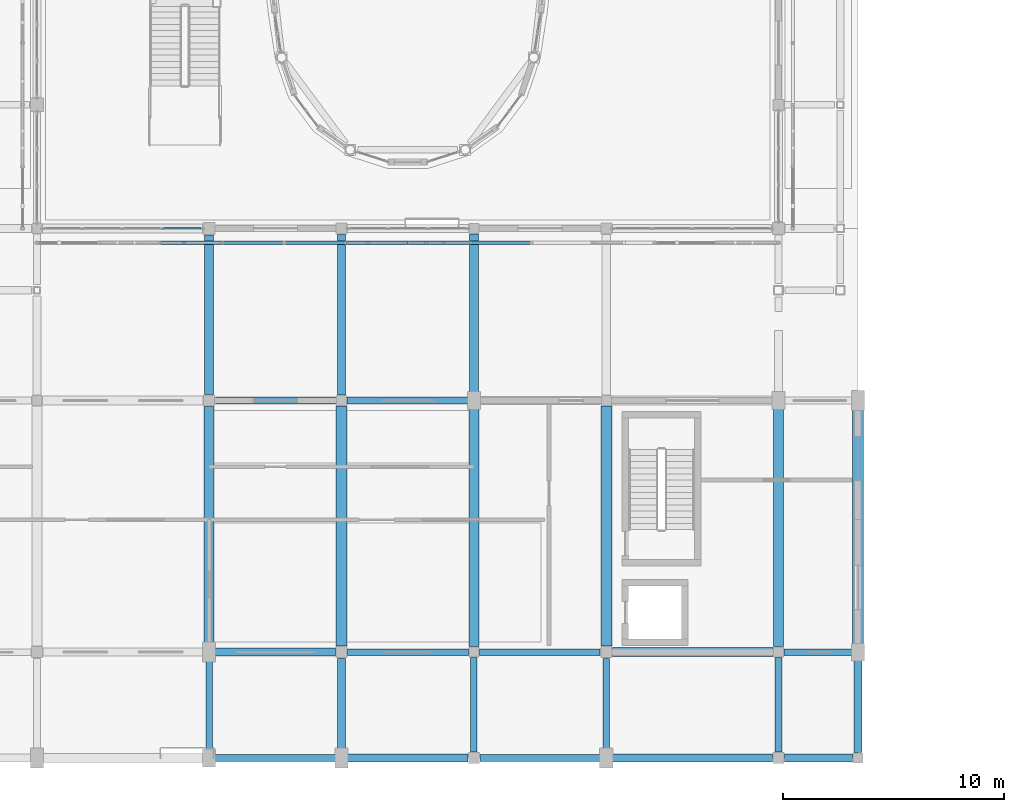
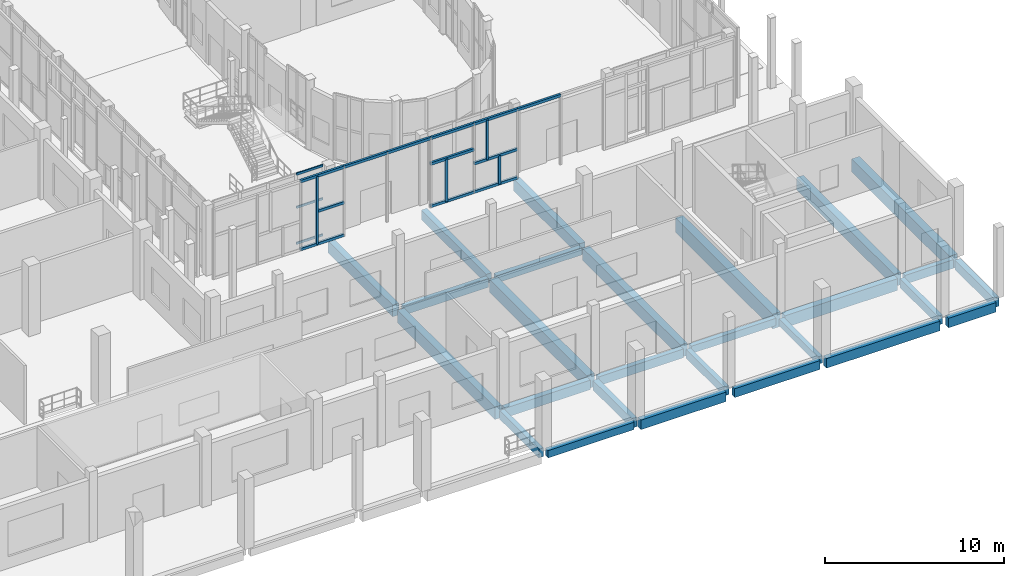
# One storey, part 27 of 91: 27 beams, 19 members, 1 element without a shape of its own.
"""IFC4 building model written with IfcOpenShell, lengths in metres."""

from ifc_helpers import new_model, si_unit, direction, frame, origin, origin_2d, place, context, subcontext, project, spatial, rectangle, hollow_rectangle, extrude, material, layer, layer_set, material_profile, profile_set, type_object, element, aggregate, save


model = new_model("IFC4")

# Units and contexts
model_context = context("Model", 3, precision=1e-05, world=origin(), true_north=direction((0.0, 1.0)))
body_context = subcontext(model_context, "Body", "Model", "MODEL_VIEW")
ifc_project = project(units=[si_unit("LENGTHUNIT", "METRE"), si_unit("AREAUNIT", "SQUARE_METRE"), si_unit("VOLUMEUNIT", "CUBIC_METRE"), si_unit("PLANEANGLEUNIT", "RADIAN"), si_unit("MASSUNIT", "GRAM", prefix="KILO")], contexts=[model_context])

# Site, building, storey
site_placement = place(None, origin())
site = spatial("IfcSite", under=ifc_project, at=site_placement, CompositionType="ELEMENT")
building_placement = place(site_placement, origin())
building = spatial("IfcBuilding", under=site, at=building_placement, Name="Vinh Khe Railworks Police Headquarters", CompositionType="ELEMENT")
storey_placement = place(building_placement, origin())
storey = spatial("IfcBuildingStorey", under=building, at=storey_placement, Name="L00", CompositionType="ELEMENT", Elevation=0.0)

# Members
ifc_material_1 = material(Name="Salvaged ironwood timber", Category="wood")
ifc_material_profile_1 = material_profile(ifc_material_1, rectangle(XDim=0.139892578125, YDim=0.179931640625, at=origin_2d()), Name="TIMBER 140x180")
ifc_profile_set_1 = profile_set([ifc_material_profile_1], Name="Salvaged ironwood timber")
member_type_1 = type_object("IfcMemberType", Name="MEM-QUILT-STILE", PredefinedType="CHORD", material=ifc_profile_set_1)
for number, where, z_axis, x_axis, name in (
    (1, (32.0, 24.550048828125, 4.719970703125), (1.0, 0.0, 0.0), (0.0, 1.0, 0.0), "Salvaged Timber Quilt Transom S-L00-02-TOP"),
    (2, (32.0, 24.550048828125, 0.080078125), (1.0, 0.0, 0.0), (0.0, 1.0, 0.0), "Salvaged Timber Quilt Transom S-L00-02-BOT"),
):
    element("IfcMember", number, at=place(storey_placement, frame(where, z_axis=z_axis, x_axis=x_axis)), inside=storey, type_object=member_type_1, Name=name, PredefinedType="CHORD", context=body_context, shape_type="SweptSolid", body=[
        extrude(rectangle(XDim=0.139892578125, YDim=0.179931640625, at=origin_2d()), origin(), (0.0, 0.0, 1.0), 2.800048828125),
    ])
member_1_placement = place(storey_placement, frame((33.06396484375, 24.550048828125, 0.080078125), z_axis=(0.0, 0.0, 1.0), x_axis=(1.0, 0.0, 0.0)))
element("IfcMember", 3, at=member_1_placement, inside=storey, type_object=member_type_1, Name="Salvaged Timber Quilt Stile S-L00-02-V1", PredefinedType="POST", context=body_context, shape_type="SweptSolid", body=[
    extrude(rectangle(XDim=0.139892578125, YDim=0.179931640625, at=origin_2d()), origin(), (0.0, 0.0, 1.0), 4.639892578125),
])
member_2_placement = place(storey_placement, frame((33.06396484375, 24.550048828125, 2.303955078125), z_axis=(1.0, 0.0, 0.0), x_axis=(0.0, 1.0, 0.0)))
element("IfcMember", 4, at=member_2_placement, inside=storey, type_object=member_type_1, Name="Salvaged Timber Quilt Transom S-L00-02-M1", PredefinedType="CHORD", context=body_context, shape_type="SweptSolid", body=[
    extrude(rectangle(XDim=0.139892578125, YDim=0.179931640625, at=origin_2d()), origin(), (0.0, 0.0, 1.0), 1.736083984375),
])
member_3_placement = place(storey_placement, frame((34.800048828125, 24.550048828125, 4.719970703125), z_axis=(1.0, 0.0, 0.0), x_axis=(0.0, 1.0, 0.0)))
element("IfcMember", 5, at=member_3_placement, inside=storey, type_object=member_type_1, Name="Salvaged Timber Quilt Transom S-L00-03-TOP", PredefinedType="CHORD", context=body_context, shape_type="SweptSolid", body=[
    extrude(rectangle(XDim=0.139892578125, YDim=0.179931640625, at=origin_2d()), origin(), (0.0, 0.0, 1.0), 2.800048828125),
])
member_4_placement = place(storey_placement, frame((37.60009765625, 24.550048828125, 4.719970703125), z_axis=(1.0, 0.0, 0.0), x_axis=(0.0, 1.0, 0.0)))
element("IfcMember", 6, at=member_4_placement, inside=storey, type_object=member_type_1, Name="Salvaged Timber Quilt Transom S-L00-04-TOP", PredefinedType="CHORD", context=body_context, shape_type="SweptSolid", body=[
    extrude(rectangle(XDim=0.139892578125, YDim=0.179931640625, at=origin_2d()), origin(), (0.0, 0.0, 1.0), 2.7998046875),
])
for number, where, z_axis, x_axis, name in (
    (7, (40.39990234375, 24.550048828125, 4.719970703125), (1.0, 0.0, 0.0), (0.0, 1.0, 0.0), "Salvaged Timber Quilt Transom S-L00-05-TOP"),
    (8, (40.39990234375, 24.550048828125, 0.080078125), (1.0, 0.0, 0.0), (0.0, 1.0, 0.0), "Salvaged Timber Quilt Transom S-L00-05-BOT"),
    (9, (40.39990234375, 24.550048828125, 2.97607421875), (1.0, 0.0, 0.0), (0.0, 1.0, 0.0), "Salvaged Timber Quilt Transom S-L00-05-M1"),
):
    element("IfcMember", number, at=place(storey_placement, frame(where, z_axis=z_axis, x_axis=x_axis)), inside=storey, type_object=member_type_1, Name=name, PredefinedType="CHORD", context=body_context, shape_type="SweptSolid", body=[
        extrude(rectangle(XDim=0.139892578125, YDim=0.179931640625, at=origin_2d()), origin(), (0.0, 0.0, 1.0), 2.800048828125),
    ])
member_5_placement = place(storey_placement, frame((41.407958984375, 24.550048828125, 0.080078125), z_axis=(0.0, 0.0, 1.0), x_axis=(1.0, 0.0, 0.0)))
element("IfcMember", 10, at=member_5_placement, inside=storey, type_object=member_type_1, Name="Salvaged Timber Quilt Stile S-L00-05-V1", PredefinedType="POST", context=body_context, shape_type="SweptSolid", body=[
    extrude(rectangle(XDim=0.139892578125, YDim=0.179931640625, at=origin_2d()), origin(), (0.0, 0.0, 1.0), 2.89599609375),
])
for number, where, z_axis, x_axis, name in (
    (11, (43.199951171875, 24.550048828125, 4.719970703125), (1.0, 0.0, 0.0), (0.0, 1.0, 0.0), "Salvaged Timber Quilt Transom S-L00-06-TOP"),
    (12, (43.199951171875, 24.550048828125, 0.080078125), (1.0, 0.0, 0.0), (0.0, 1.0, 0.0), "Salvaged Timber Quilt Transom S-L00-06-BOT"),
    (13, (43.199951171875, 24.550048828125, 2.01611328125), (1.0, 0.0, 0.0), (0.0, 1.0, 0.0), "Salvaged Timber Quilt Transom S-L00-06-M1"),
):
    element("IfcMember", number, at=place(storey_placement, frame(where, z_axis=z_axis, x_axis=x_axis)), inside=storey, type_object=member_type_1, Name=name, PredefinedType="CHORD", context=body_context, shape_type="SweptSolid", body=[
        extrude(rectangle(XDim=0.139892578125, YDim=0.179931640625, at=origin_2d()), origin(), (0.0, 0.0, 1.0), 2.800048828125),
    ])
member_6_placement = place(storey_placement, frame((44.823974609375, 24.550048828125, 0.080078125), z_axis=(0.0, 0.0, 1.0), x_axis=(1.0, 0.0, 0.0)))
element("IfcMember", 14, at=member_6_placement, inside=storey, type_object=member_type_1, Name="Salvaged Timber Quilt Stile S-L00-06-V1", PredefinedType="POST", context=body_context, shape_type="SweptSolid", body=[
    extrude(rectangle(XDim=0.139892578125, YDim=0.179931640625, at=origin_2d()), origin(), (0.0, 0.0, 1.0), 1.93603515625),
])
member_7_placement = place(storey_placement, frame((44.0400390625, 24.550048828125, 2.01611328125), z_axis=(0.0, 0.0, 1.0), x_axis=(1.0, 0.0, 0.0)))
element("IfcMember", 15, at=member_7_placement, inside=storey, type_object=member_type_1, Name="Salvaged Timber Quilt Stile S-L00-06-V2", PredefinedType="POST", context=body_context, shape_type="SweptSolid", body=[
    extrude(rectangle(XDim=0.139892578125, YDim=0.179931640625, at=origin_2d()), origin(), (0.0, 0.0, 1.0), 2.703857421875),
])
member_8_placement = place(storey_placement, frame((46.0, 24.550048828125, 4.719970703125), z_axis=(1.0, 0.0, 0.0), x_axis=(0.0, 1.0, 0.0)))
element("IfcMember", 16, at=member_8_placement, inside=storey, type_object=member_type_1, Name="Salvaged Timber Quilt Transom S-L00-07-TOP", PredefinedType="CHORD", context=body_context, shape_type="SweptSolid", body=[
    extrude(rectangle(XDim=0.139892578125, YDim=0.179931640625, at=origin_2d()), origin(), (0.0, 0.0, 1.0), 2.800048828125),
])

# Beams
ifc_material_2 = material(Name="Concrete C35/45 (B35)", Category="concrete")
ifc_material_profile_2 = material_profile(ifc_material_2, rectangle(XDim=0.300048828125, YDim=0.5, at=origin_2d()), Name="RC 300x500")
ifc_profile_set_2 = profile_set([ifc_material_profile_2], Name="Concrete C35/45 (B35)")
beam_type_1 = type_object("IfcBeamType", Name="RC Girder RC 300x500", PredefinedType="BEAM", material=ifc_profile_set_2)
beam_1_placement = place(storey_placement, frame((34.429931640625, 1.199951171875, -0.530029296875), z_axis=(1.0, 0.0, 0.0), x_axis=(0.0, 1.0, 0.0)))
element("IfcBeam", 17, at=beam_1_placement, inside=storey, type_object=beam_type_1, Name="Girder BM-L00-EW-RB-10-0006", PredefinedType="BEAM", context=body_context, shape_type="SweptSolid", body=[
    extrude(rectangle(XDim=0.300048828125, YDim=0.5, at=origin_2d()), origin(), (0.0, 0.0, 1.0), 5.565185546875),
])
beam_2_placement = place(storey_placement, frame((46.455078125, 6.0, -0.530029296875), z_axis=(1.0, 0.0, 0.0), x_axis=(0.0, 1.0, 0.0)))
element("IfcBeam", 18, at=beam_2_placement, inside=storey, type_object=beam_type_1, Name="Girder BM-L00-EW-RB-10-0018", PredefinedType="BEAM", context=body_context, shape_type="SweptSolid", body=[
    extrude(rectangle(XDim=0.300048828125, YDim=0.5, at=origin_2d()), origin(), (0.0, 0.0, 1.0), 5.46484375),
])
beam_3_placement = place(storey_placement, frame((40.455078125, 17.39990234375, -0.530029296875), z_axis=(1.0, 0.0, 0.0), x_axis=(0.0, 1.0, 0.0)))
element("IfcBeam", 19, at=beam_3_placement, inside=storey, type_object=beam_type_1, Name="Girder BM-L00-EW-RB-10-0027", PredefinedType="BEAM", context=body_context, shape_type="SweptSolid", body=[
    extrude(rectangle(XDim=0.300048828125, YDim=0.5, at=origin_2d()), origin(), (0.0, 0.0, 1.0), 5.514892578125),
])
beam_4_placement = place(storey_placement, frame((52.199951171875, 1.405029296875, -0.530029296875), z_axis=(0.0, 1.0, 0.0), x_axis=(-1.0, 0.0, 0.0)))
element("IfcBeam", 20, at=beam_4_placement, inside=storey, type_object=beam_type_1, Name="Girder BM-L00-NS-RB-10-0309", PredefinedType="BEAM", context=body_context, shape_type="SweptSolid", body=[
    extrude(rectangle(XDim=0.300048828125, YDim=0.5, at=origin_2d()), origin(), (0.0, 0.0, 1.0), 4.31494140625),
])
ifc_material_profile_3 = material_profile(ifc_material_2, rectangle(XDim=0.300048828125, YDim=0.60009765625, at=origin_2d()), Name="RC 300x600")
ifc_profile_set_3 = profile_set([ifc_material_profile_3], Name="Concrete C35/45 (B35)")
beam_type_2 = type_object("IfcBeamType", Name="RC Girder RC 300x600", PredefinedType="BEAM", material=ifc_profile_set_3)
beam_5_placement = place(storey_placement, frame((46.47998046875, 1.199951171875, -0.580078125), z_axis=(1.0, 0.0, 0.0), x_axis=(0.0, 1.0, 0.0)))
element("IfcBeam", 21, at=beam_5_placement, inside=storey, type_object=beam_type_2, Name="Girder BM-L00-EW-RB-09-0008", PredefinedType="BEAM", context=body_context, shape_type="SweptSolid", body=[
    extrude(rectangle(XDim=0.300048828125, YDim=0.60009765625, at=origin_2d()), origin(), (0.0, 0.0, 1.0), 5.51513671875),
])
beam_6_placement = place(storey_placement, frame((40.47998046875, 6.0, -0.580078125), z_axis=(1.0, 0.0, 0.0), x_axis=(0.0, 1.0, 0.0)))
element("IfcBeam", 22, at=beam_6_placement, inside=storey, type_object=beam_type_2, Name="Girder BM-L00-EW-RB-09-0017", PredefinedType="BEAM", context=body_context, shape_type="SweptSolid", body=[
    extrude(rectangle(XDim=0.300048828125, YDim=0.60009765625, at=origin_2d()), origin(), (0.0, 0.0, 1.0), 5.465087890625),
])
beam_7_placement = place(storey_placement, frame((60.2548828125, 6.0, -0.580078125), z_axis=(1.0, 0.0, 0.0), x_axis=(0.0, 1.0, 0.0)))
element("IfcBeam", 23, at=beam_7_placement, inside=storey, type_object=beam_type_2, Name="Girder BM-L00-EW-RB-09-0020", PredefinedType="BEAM", context=body_context, shape_type="SweptSolid", body=[
    extrude(rectangle(XDim=0.300048828125, YDim=0.60009765625, at=origin_2d()), origin(), (0.0, 0.0, 1.0), 3.115234375),
])
beam_8_placement = place(storey_placement, frame((34.47998046875, 17.39990234375, -0.580078125), z_axis=(1.0, 0.0, 0.0), x_axis=(0.0, 1.0, 0.0)))
element("IfcBeam", 24, at=beam_8_placement, inside=storey, type_object=beam_type_2, Name="Girder BM-L00-EW-RB-09-0026", PredefinedType="BEAM", context=body_context, shape_type="SweptSolid", body=[
    extrude(rectangle(XDim=0.300048828125, YDim=0.60009765625, at=origin_2d()), origin(), (0.0, 0.0, 1.0), 5.465087890625),
])
beam_9_placement = place(storey_placement, frame((34.199951171875, 1.429931640625, -0.580078125), z_axis=(0.0, 1.0, 0.0), x_axis=(-1.0, 0.0, 0.0)))
element("IfcBeam", 25, at=beam_9_placement, inside=storey, type_object=beam_type_2, Name="Girder BM-L00-NS-RB-09-0284", PredefinedType="BEAM", context=body_context, shape_type="SweptSolid", body=[
    extrude(rectangle(XDim=0.300048828125, YDim=0.60009765625, at=origin_2d()), origin(), (0.0, 0.0, 1.0), 4.364990234375),
])
for number, where, z_axis, x_axis, name in (
    (26, (46.199951171875, 1.47998046875, -0.580078125), (0.0, 1.0, 0.0), (-1.0, 0.0, 0.0), "Girder BM-L00-NS-RB-09-0299"),
    (27, (60.0, 1.47998046875, -0.580078125), (0.0, 1.0, 0.0), (-1.0, 0.0, 0.0), "Girder BM-L00-NS-RB-09-0317"),
):
    element("IfcBeam", number, at=place(storey_placement, frame(where, z_axis=z_axis, x_axis=x_axis)), inside=storey, type_object=beam_type_2, Name=name, PredefinedType="BEAM", context=body_context, shape_type="SweptSolid", body=[
        extrude(rectangle(XDim=0.300048828125, YDim=0.60009765625, at=origin_2d()), origin(), (0.0, 0.0, 1.0), 4.26513671875),
    ])
ifc_material_profile_4 = material_profile(ifc_material_2, rectangle(XDim=0.35009765625, YDim=0.64990234375, at=origin_2d()), Name="RC 350x650")
ifc_profile_set_4 = profile_set([ifc_material_profile_4], Name="Concrete C35/45 (B35)")
beam_type_3 = type_object("IfcBeamType", Name="RC Girder RC 350x650", PredefinedType="BEAM", material=ifc_profile_set_4)
beam_10_placement = place(storey_placement, frame((40.405029296875, 1.199951171875, -0.60498046875), z_axis=(1.0, 0.0, 0.0), x_axis=(0.0, 1.0, 0.0)))
element("IfcBeam", 28, at=beam_10_placement, inside=storey, type_object=beam_type_3, Name="Girder BM-L00-EW-RB-08-0007", PredefinedType="BEAM", context=body_context, shape_type="SweptSolid", body=[
    extrude(rectangle(XDim=0.35009765625, YDim=0.64990234375, at=origin_2d()), origin(), (0.0, 0.0, 1.0), 5.514892578125),
])
beam_11_placement = place(storey_placement, frame((52.405029296875, 1.199951171875, -0.60498046875), z_axis=(1.0, 0.0, 0.0), x_axis=(0.0, 1.0, 0.0)))
element("IfcBeam", 29, at=beam_11_placement, inside=storey, type_object=beam_type_3, Name="Girder BM-L00-EW-RB-08-0009", PredefinedType="BEAM", context=body_context, shape_type="SweptSolid", body=[
    extrude(rectangle(XDim=0.35009765625, YDim=0.64990234375, at=origin_2d()), origin(), (0.0, 0.0, 1.0), 7.31494140625),
])
beam_12_placement = place(storey_placement, frame((60.280029296875, 1.199951171875, -0.60498046875), z_axis=(1.0, 0.0, 0.0), x_axis=(0.0, 1.0, 0.0)))
element("IfcBeam", 30, at=beam_12_placement, inside=storey, type_object=beam_type_3, Name="Girder BM-L00-EW-RB-08-0010", PredefinedType="BEAM", context=body_context, shape_type="SweptSolid", body=[
    extrude(rectangle(XDim=0.35009765625, YDim=0.64990234375, at=origin_2d()), origin(), (0.0, 0.0, 1.0), 3.06494140625),
])
beam_13_placement = place(storey_placement, frame((34.405029296875, 6.0, -0.60498046875), z_axis=(1.0, 0.0, 0.0), x_axis=(0.0, 1.0, 0.0)))
element("IfcBeam", 31, at=beam_13_placement, inside=storey, type_object=beam_type_3, Name="Girder BM-L00-EW-RB-08-0016", PredefinedType="BEAM", context=body_context, shape_type="SweptSolid", body=[
    extrude(rectangle(XDim=0.35009765625, YDim=0.64990234375, at=origin_2d()), origin(), (0.0, 0.0, 1.0), 5.514892578125),
])
beam_14_placement = place(storey_placement, frame((40.199951171875, 1.405029296875, -0.60498046875), z_axis=(0.0, 1.0, 0.0), x_axis=(-1.0, 0.0, 0.0)))
element("IfcBeam", 32, at=beam_14_placement, inside=storey, type_object=beam_type_3, Name="Girder BM-L00-NS-RB-08-0295", PredefinedType="BEAM", context=body_context, shape_type="SweptSolid", body=[
    extrude(rectangle(XDim=0.35009765625, YDim=0.64990234375, at=origin_2d()), origin(), (0.0, 0.0, 1.0), 4.31494140625),
])
beam_15_placement = place(storey_placement, frame((40.199951171875, 17.655029296875, -0.60498046875), z_axis=(0.0, 1.0, 0.0), x_axis=(-1.0, 0.0, 0.0)))
element("IfcBeam", 33, at=beam_15_placement, inside=storey, type_object=beam_type_3, Name="Girder BM-L00-NS-RB-08-0297", PredefinedType="BEAM", context=body_context, shape_type="SweptSolid", body=[
    extrude(rectangle(XDim=0.35009765625, YDim=0.64990234375, at=origin_2d()), origin(), (0.0, 0.0, 1.0), 7.264892578125),
])
beam_16_placement = place(storey_placement, frame((63.60009765625, 1.455078125, -0.60498046875), z_axis=(0.0, 1.0, 0.0), x_axis=(-1.0, 0.0, 0.0)))
element("IfcBeam", 34, at=beam_16_placement, inside=storey, type_object=beam_type_3, Name="Girder BM-L00-NS-RB-08-0343", PredefinedType="BEAM", context=body_context, shape_type="SweptSolid", body=[
    extrude(rectangle(XDim=0.35009765625, YDim=0.64990234375, at=origin_2d()), origin(), (0.0, 0.0, 1.0), 4.31494140625),
])
ifc_material_profile_5 = material_profile(ifc_material_2, rectangle(XDim=0.39990234375, YDim=0.800048828125, at=origin_2d()), Name="RC 400x800")
ifc_profile_set_5 = profile_set([ifc_material_profile_5], Name="Concrete C35/45 (B35)")
beam_type_4 = type_object("IfcBeamType", Name="RC Girder RC 400x800", PredefinedType="BEAM", material=ifc_profile_set_5)
beam_17_placement = place(storey_placement, frame((52.47998046875, 6.0, -0.679931640625), z_axis=(1.0, 0.0, 0.0), x_axis=(0.0, 1.0, 0.0)))
element("IfcBeam", 35, at=beam_17_placement, inside=storey, type_object=beam_type_4, Name="Girder BM-L00-EW-RB-06-0019", PredefinedType="BEAM", context=body_context, shape_type="SweptSolid", body=[
    extrude(rectangle(XDim=0.39990234375, YDim=0.800048828125, at=origin_2d()), origin(), (0.0, 0.0, 1.0), 7.26513671875),
])
beam_18_placement = place(storey_placement, frame((34.199951171875, 17.679931640625, -0.679931640625), z_axis=(0.0, 1.0, 0.0), x_axis=(-1.0, 0.0, 0.0)))
element("IfcBeam", 36, at=beam_18_placement, inside=storey, type_object=beam_type_4, Name="Girder BM-L00-NS-RB-06-0286", PredefinedType="BEAM", context=body_context, shape_type="SweptSolid", body=[
    extrude(rectangle(XDim=0.39990234375, YDim=0.800048828125, at=origin_2d()), origin(), (0.0, 0.0, 1.0), 7.215087890625),
])
beam_19_placement = place(storey_placement, frame((46.199951171875, 17.6298828125, -0.679931640625), z_axis=(0.0, 1.0, 0.0), x_axis=(-1.0, 0.0, 0.0)))
element("IfcBeam", 37, at=beam_19_placement, inside=storey, type_object=beam_type_4, Name="Girder BM-L00-NS-RB-06-0301", PredefinedType="BEAM", context=body_context, shape_type="SweptSolid", body=[
    extrude(rectangle(XDim=0.39990234375, YDim=0.800048828125, at=origin_2d()), origin(), (0.0, 0.0, 1.0), 7.315185546875),
])
ifc_material_profile_6 = material_profile(ifc_material_2, rectangle(XDim=0.449951171875, YDim=0.85009765625, at=origin_2d()), Name="RC 450x850")
ifc_profile_set_6 = profile_set([ifc_material_profile_6], Name="Concrete C35/45 (B35)")
beam_type_5 = type_object("IfcBeamType", Name="RC Girder RC 450x850", PredefinedType="BEAM", material=ifc_profile_set_6)
for number, where, z_axis, x_axis, name in (
    (38, (34.199951171875, 6.205078125, -0.705078125), (0.0, 1.0, 0.0), (-1.0, 0.0, 0.0), "Girder BM-L00-NS-RB-05-0285"),
    (39, (46.199951171875, 6.2548828125, -0.705078125), (0.0, 1.0, 0.0), (-1.0, 0.0, 0.0), "Girder BM-L00-NS-RB-05-0300"),
    (40, (60.0, 6.2548828125, -0.705078125), (0.0, 1.0, 0.0), (-1.0, 0.0, 0.0), "Girder BM-L00-NS-RB-05-0318"),
):
    element("IfcBeam", number, at=place(storey_placement, frame(where, z_axis=z_axis, x_axis=x_axis)), inside=storey, type_object=beam_type_5, Name=name, PredefinedType="BEAM", context=body_context, shape_type="SweptSolid", body=[
        extrude(rectangle(XDim=0.449951171875, YDim=0.85009765625, at=origin_2d()), origin(), (0.0, 0.0, 1.0), 10.9150390625),
    ])
ifc_material_profile_7 = material_profile(ifc_material_2, rectangle(XDim=0.5, YDim=1.0, at=origin_2d()), Name="RC 500x1000")
ifc_profile_set_7 = profile_set([ifc_material_profile_7], Name="Concrete C35/45 (B35)")
beam_type_6 = type_object("IfcBeamType", Name="RC Girder RC 500x1000", PredefinedType="BEAM", material=ifc_profile_set_7)
beam_20_placement = place(storey_placement, frame((52.199951171875, 6.280029296875, -0.780029296875), z_axis=(0.0, 1.0, 0.0), x_axis=(-1.0, 0.0, 0.0)))
element("IfcBeam", 41, at=beam_20_placement, inside=storey, type_object=beam_type_6, Name="Girder BM-L00-NS-RB-03-0310", PredefinedType="BEAM", context=body_context, shape_type="SweptSolid", body=[
    extrude(rectangle(XDim=0.5, YDim=1.0, at=origin_2d()), origin(), (0.0, 0.0, 1.0), 10.864990234375),
])
ifc_material_profile_8 = material_profile(ifc_material_2, rectangle(XDim=0.5, YDim=0.89990234375, at=origin_2d()), Name="RC 500x900")
ifc_profile_set_8 = profile_set([ifc_material_profile_8], Name="Concrete C35/45 (B35)")
beam_type_7 = type_object("IfcBeamType", Name="RC Girder RC 500x900", PredefinedType="BEAM", material=ifc_profile_set_8)
beam_21_placement = place(storey_placement, frame((40.199951171875, 6.280029296875, -0.72998046875), z_axis=(0.0, 1.0, 0.0), x_axis=(-1.0, 0.0, 0.0)))
element("IfcBeam", 42, at=beam_21_placement, inside=storey, type_object=beam_type_7, Name="Girder BM-L00-NS-RB-04-0296", PredefinedType="BEAM", context=body_context, shape_type="SweptSolid", body=[
    extrude(rectangle(XDim=0.5, YDim=0.89990234375, at=origin_2d()), origin(), (0.0, 0.0, 1.0), 10.864990234375),
])
beam_22_placement = place(storey_placement, frame((63.60009765625, 6.22998046875, -0.72998046875), z_axis=(0.0, 1.0, 0.0), x_axis=(-1.0, 0.0, 0.0)))
element("IfcBeam", 43, at=beam_22_placement, inside=storey, type_object=beam_type_7, Name="Girder BM-L00-NS-RB-04-0344", PredefinedType="BEAM", context=body_context, shape_type="SweptSolid", body=[
    extrude(rectangle(XDim=0.5, YDim=0.89990234375, at=origin_2d()), origin(), (0.0, 0.0, 1.0), 10.965087890625),
])

# Curtain wall, members
ifc_material_3 = material(Name="Anodised aluminium and low-iron glass", Category="aluminium")
ifc_layer = layer(ifc_material_3, 0.179931640625)
ifc_layer_set = layer_set([ifc_layer], Name="Anodised aluminium and low-iron glass")
curtain_wall_type = type_object("IfcCurtainWallType", Name="CW-CUBE-UNIT", PredefinedType="USERDEFINED", material=ifc_layer_set)
curtain_wall_placement = place(storey_placement, origin())
curtain_wall = element("IfcCurtainWall", 44, at=curtain_wall_placement, inside=storey, type_object=curtain_wall_type, Name="Entrance Hall Curtain Wall L00 S-1", ObjectType="UNITISED GLAZING", PredefinedType="USERDEFINED")
ifc_material_4 = material(Name="Anodised aluminium 6063-T6", Category="aluminium")
ifc_material_profile_9 = material_profile(ifc_material_4, hollow_rectangle(XDim=0.070068359375, YDim=0.14990234375, WallThickness=0.0048828125, at=origin_2d()), Name="CW-T 70x150x5")
ifc_profile_set_9 = profile_set([ifc_material_profile_9], Name="Anodised aluminium 6063-T6")
member_type_2 = type_object("IfcMemberType", Name="TRAN-CWT-03", PredefinedType="USERDEFINED", material=ifc_profile_set_9)
member_9_placement = place(storey_placement, frame((32.125, 25.199951171875, 0.034912109375), z_axis=(1.0, 0.0, 0.0), x_axis=(0.0, 1.0, 0.0)))
member_9 = element("IfcMember", 45, at=member_9_placement, type_object=member_type_2, Name="CW-01 transom 4.1", ObjectType="TRANSOM", PredefinedType="USERDEFINED", context=body_context, shape_type="SweptSolid", body=[
    extrude(hollow_rectangle(XDim=0.070068359375, YDim=0.14990234375, WallThickness=0.0048828125, at=origin_2d()), origin(), (0.0, 0.0, 1.0), 1.7099609375),
])
member_10_placement = place(storey_placement, frame((32.125, 25.199951171875, 2.49609375), z_axis=(1.0, 0.0, 0.0), x_axis=(0.0, 1.0, 0.0)))
member_10 = element("IfcMember", 46, at=member_10_placement, type_object=member_type_2, Name="CW-01 transom 4.2", ObjectType="TRANSOM", PredefinedType="USERDEFINED", context=body_context, shape_type="SweptSolid", body=[
    extrude(hollow_rectangle(XDim=0.070068359375, YDim=0.14990234375, WallThickness=0.0048828125, at=origin_2d()), origin(), (0.0, 0.0, 1.0), 1.7099609375),
])
member_11_placement = place(storey_placement, frame((32.125, 25.199951171875, 4.764892578125), z_axis=(1.0, 0.0, 0.0), x_axis=(0.0, 1.0, 0.0)))
member_11 = element("IfcMember", 47, at=member_11_placement, type_object=member_type_2, Name="CW-01 transom 4.3", ObjectType="TRANSOM", PredefinedType="USERDEFINED", context=body_context, shape_type="SweptSolid", body=[
    extrude(hollow_rectangle(XDim=0.070068359375, YDim=0.14990234375, WallThickness=0.0048828125, at=origin_2d()), origin(), (0.0, 0.0, 1.0), 1.7099609375),
])
aggregate(curtain_wall, [member_9, member_10, member_11])

save(model, "model.ifc")
